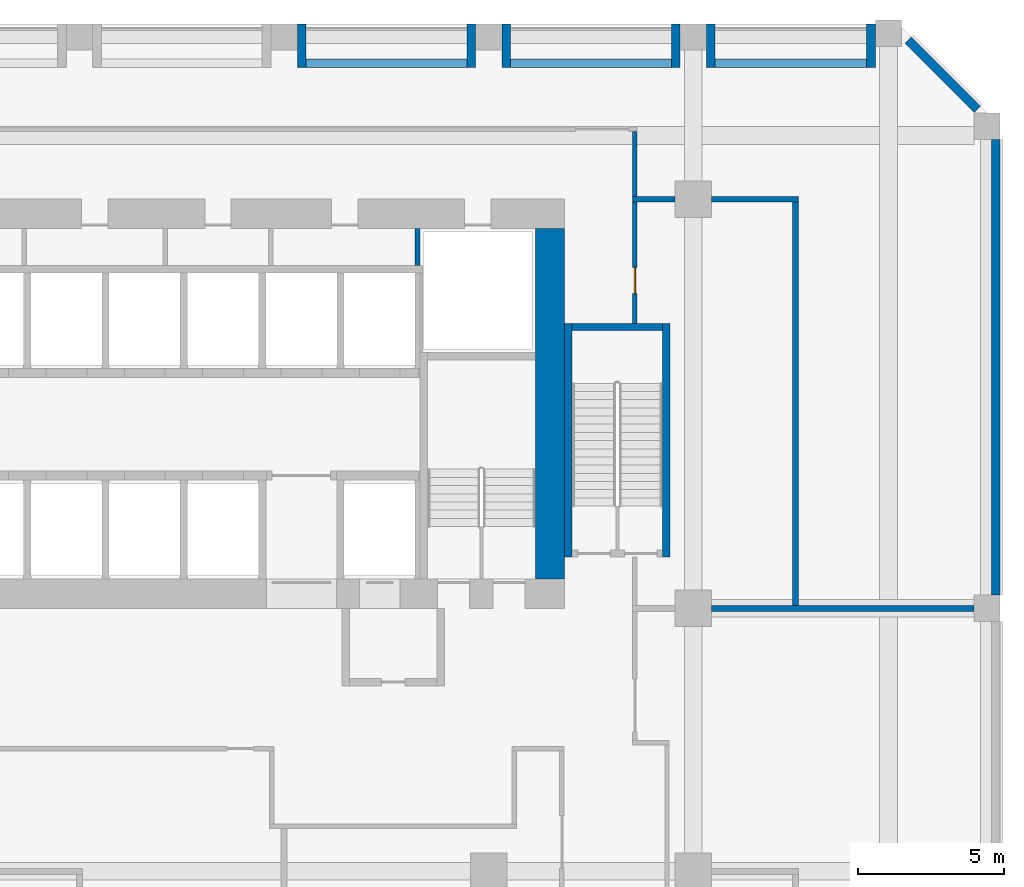
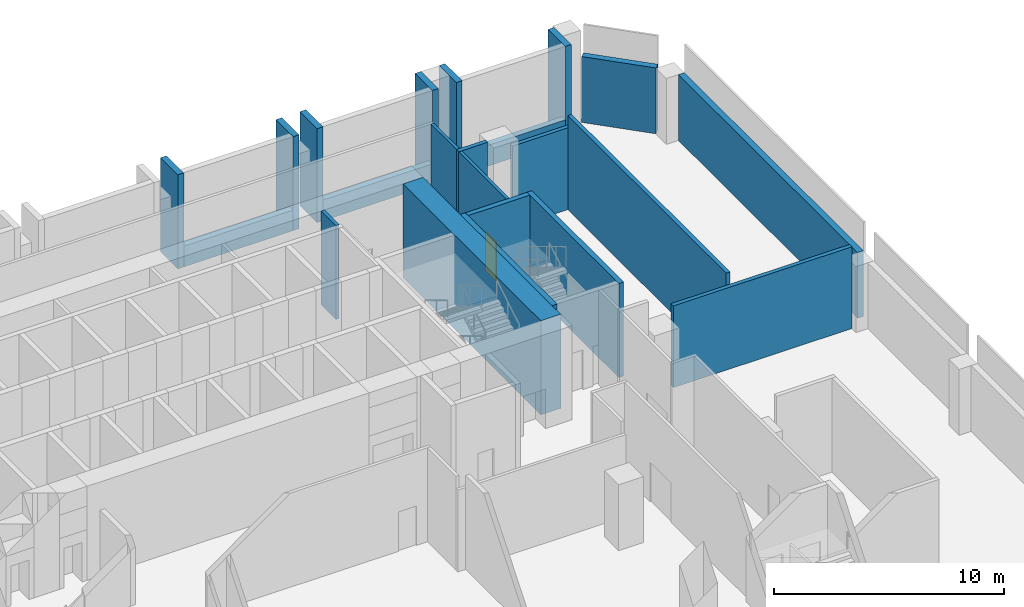
# One storey, part 6 of 10: 22 walls, 1 door, 1 opening.
"""IFC4 building model written with IfcOpenShell, lengths in metres."""

import ifcopenshell
import ifcopenshell.guid

model = None  # the IFC model being written
_history = None  # IfcOwnerHistory: only IFC2X3 demands one
_inside = {}  # id of a spatial element -> (the spatial element, [elements in it])
_under = {}  # id of a project, library or spatial element -> (it, [spatial elements below it])
_declared = {}  # id of a project -> (the project, [libraries it declares])
_typed = {}  # id of a type object -> (the type object, [elements of that type])
_made_of = {}  # id of a material, layer set ... -> (it, [elements and type objects made of it])


def new_model(schema):
    """Start an empty IFC model of exactly this schema.

    Asked for "IFC4X3", IfcOpenShell would pick the latest addendum, in which some entities
    have other attributes; the version numbers below select the first issue.
    IFC2X3 requires an IfcOwnerHistory on every rooted entity: one is made here for all.
    """
    global model, _history
    if schema == "IFC4X3":
        model = ifcopenshell.file(schema_version=(4, 3, 0, 0))
    else:
        model = ifcopenshell.file(schema=schema)
    _inside.clear()
    _under.clear()
    _declared.clear()
    _typed.clear()
    _made_of.clear()
    _history = None
    if model.schema == "IFC2X3":
        org = make("IfcOrganization", Name="unknown")
        user = make(
            "IfcPersonAndOrganization",
            ThePerson=make("IfcPerson", FamilyName="unknown"),
            TheOrganization=org,
        )
        app = make(
            "IfcApplication",
            ApplicationDeveloper=org,
            Version="unknown",
            ApplicationFullName="unknown",
            ApplicationIdentifier="unknown",
        )
        _history = make(
            "IfcOwnerHistory",
            OwningUser=user,
            OwningApplication=app,
            ChangeAction="ADDED",
            CreationDate=0,
        )
    return model


def make(cls, **values):
    """One entity of the class cls with the attributes given. An attribute that is None is left unset."""
    return model.create_entity(
        cls, **{name: value for name, value in values.items() if value is not None}
    )


def rooted(cls, **values):
    """An entity with a GlobalId (a new one), such as an element, a storey or a relation."""
    return make(cls, GlobalId=ifcopenshell.guid.new(), OwnerHistory=_history, **values)


def si_unit(unit_type, name, prefix=None):
    """IfcSIUnit, for example si_unit("LENGTHUNIT", "METRE", prefix="MILLI")."""
    return make("IfcSIUnit", UnitType=unit_type, Prefix=prefix, Name=name)


def assignment(units):
    """IfcUnitAssignment: the units of a project."""
    return None if units is None else make("IfcUnitAssignment", Units=units)


def point(xyz):
    """IfcCartesianPoint."""
    return None if xyz is None else make("IfcCartesianPoint", Coordinates=xyz)


def direction(xyz):
    """IfcDirection."""
    return None if xyz is None else make("IfcDirection", DirectionRatios=xyz)


def frame(location, z_axis=None, x_axis=None):
    """IfcAxis2Placement3D, a coordinate frame: its origin and axes. An axis left out is left unset."""
    return make(
        "IfcAxis2Placement3D",
        Location=point(location),
        Axis=direction(z_axis),
        RefDirection=direction(x_axis),
    )


def frame_2d(location, x_axis=None):
    """IfcAxis2Placement2D, a coordinate frame in the plane: its origin and x axis."""
    return make(
        "IfcAxis2Placement2D", Location=point(location), RefDirection=direction(x_axis)
    )


def origin():
    """The frame at (0, 0, 0) with its axes left unset."""
    return frame((0.0, 0.0, 0.0))


def place(relative_to, where):
    """IfcLocalPlacement: puts the frame where relative to a parent placement (None: the world)."""
    return make(
        "IfcLocalPlacement", PlacementRelTo=relative_to, RelativePlacement=where
    )


def context(
    kind, dimensions, precision=None, world=None, true_north=None, identifier=None
):
    """IfcGeometricRepresentationContext, for example the 3D "Model" context."""
    return make(
        "IfcGeometricRepresentationContext",
        ContextIdentifier=identifier,
        ContextType=kind,
        CoordinateSpaceDimension=dimensions,
        Precision=precision,
        WorldCoordinateSystem=world,
        TrueNorth=true_north,
    )


def subcontext(parent, identifier, kind, view, scale=None):
    """IfcGeometricRepresentationSubContext, for example "Body" below "Model"."""
    return make(
        "IfcGeometricRepresentationSubContext",
        ContextIdentifier=identifier,
        ContextType=kind,
        ParentContext=parent,
        TargetScale=scale,
        TargetView=view,
    )


def project(units=None, contexts=None):
    """IfcProject with its units and contexts."""
    return rooted(
        "IfcProject",
        Name="project",
        RepresentationContexts=contexts,
        UnitsInContext=assignment(units),
    )


def spatial(cls, under=None, at=None, **own):
    """A site, building, storey or space (cls), placed at a placement, below another one or the project."""
    s = rooted(cls, ObjectPlacement=at, **own)
    if under is not None:
        _under.setdefault(under.id(), (under, []))[1].append(s)
    return s


def profile(cls, at=None, kind="AREA", **sizes):
    """A parametric profile (cls). Its sizes go by their IFC names, for example OverallWidth=200.0."""
    return make(cls, ProfileType=kind, Position=at, **sizes)


def rectangle(**sizes):
    """IfcRectangleProfileDef."""
    return profile("IfcRectangleProfileDef", **sizes)


def extrude(swept, where, along, depth):
    """IfcExtrudedAreaSolid: the profile swept, set in the frame where, extruded along a direction by depth."""
    return make(
        "IfcExtrudedAreaSolid",
        SweptArea=swept,
        Position=where,
        ExtrudedDirection=direction(along),
        Depth=depth,
    )


def shape(context_of_items, identifier, shape_type, items):
    """IfcShapeRepresentation: the items that make up one representation, for example the "Body"."""
    return make(
        "IfcShapeRepresentation",
        ContextOfItems=context_of_items,
        RepresentationIdentifier=identifier,
        RepresentationType=shape_type,
        Items=items,
    )


def source(mapping_origin, context_of_items, identifier, shape_type, items):
    """IfcRepresentationMap: a shape defined once, which mapped items show again and again."""
    return make(
        "IfcRepresentationMap",
        MappingOrigin=mapping_origin,
        MappedRepresentation=shape(context_of_items, identifier, shape_type, items),
    )


def transform(
    local_origin,
    x_axis=None,
    y_axis=None,
    z_axis=None,
    scale=None,
    scale2=None,
    scale3=None,
    uniform=True,
):
    """IfcCartesianTransformationOperator3D, or its non-uniform kind. x_axis, y_axis, z_axis: its Axis1, 2, 3."""
    if uniform:
        return make(
            "IfcCartesianTransformationOperator3D",
            Axis1=direction(x_axis),
            Axis2=direction(y_axis),
            LocalOrigin=point(local_origin),
            Scale=scale,
            Axis3=direction(z_axis),
        )
    return make(
        "IfcCartesianTransformationOperator3DnonUniform",
        Axis1=direction(x_axis),
        Axis2=direction(y_axis),
        LocalOrigin=point(local_origin),
        Scale=scale,
        Axis3=direction(z_axis),
        Scale2=scale2,
        Scale3=scale3,
    )


def mapped(mapping_source, mapping_target):
    """IfcMappedItem: shows the shape of a source again, moved by a transform."""
    return make(
        "IfcMappedItem", MappingSource=mapping_source, MappingTarget=mapping_target
    )


def material(Name=None, Category=None):
    """IfcMaterial."""
    return make("IfcMaterial", Name=Name, Category=Category)


def layer(
    of_material, thickness, ventilated=None, Name=None, Category=None, Priority=None
):
    """IfcMaterialLayer: one layer of a wall or slab, of a material (None: an air gap)."""
    return make(
        "IfcMaterialLayer",
        Material=of_material,
        LayerThickness=thickness,
        IsVentilated=ventilated,
        Name=Name,
        Category=Category,
        Priority=Priority,
    )


def layer_set(layers, Name=None):
    """IfcMaterialLayerSet."""
    return make("IfcMaterialLayerSet", MaterialLayers=layers, LayerSetName=Name)


def made_of(thing, what):
    """Note that an element or type object is made of a material, layer set ...; save() writes the relation."""
    if what is not None:
        _made_of.setdefault(what.id(), (what, []))[1].append(thing)
    return thing


def type_object(cls, material=None, **own):
    """A type object (cls), such as IfcWallType, which elements share."""
    return made_of(rooted(cls, **own), material)


def element(
    cls,
    number,
    at=None,
    inside=None,
    cuts=None,
    type_object=None,
    material=None,
    context=None,
    identifier="Body",
    shape_type=None,
    held_by="IfcProductDefinitionShape",
    body=None,
    shapes=None,
    **own,
):
    """One element of the class cls, such as IfcWall. Its Tag is "e" and its number.

    at: its placement. inside: the storey or other place that contains it. cuts: it is an
    opening in that element (IfcRelVoidsElement). A single representation is given by context,
    identifier, shape_type and body (its items); several are given by shapes. held_by: the class
    of the entity that holds the representations. save() writes the other relations.
    """
    e = rooted(cls, Tag="e%d" % number, ObjectPlacement=at, **own)
    if body is not None:
        shapes = [shape(context, identifier, shape_type, body)]
    if shapes is not None:
        e.Representation = make(held_by, Representations=shapes)
    if inside is not None:
        _inside.setdefault(inside.id(), (inside, []))[1].append(e)
    if cuts is not None:
        rooted(
            "IfcRelVoidsElement", RelatingBuildingElement=cuts, RelatedOpeningElement=e
        )
    if type_object is not None:
        _typed.setdefault(type_object.id(), (type_object, []))[1].append(e)
    return made_of(e, material)


def fill(opening, filler):
    """IfcRelFillsElement: the door or window that sits in an opening."""
    return rooted(
        "IfcRelFillsElement",
        RelatingOpeningElement=opening,
        RelatedBuildingElement=filler,
    )


def aggregate(whole, parts):
    """IfcRelAggregates: a whole, such as a stair, and the parts it consists of."""
    return rooted("IfcRelAggregates", RelatingObject=whole, RelatedObjects=parts)


def save(model, path):
    """Write the relations noted so far, then the file.

    IfcRelAggregates (storeys below a building ...), IfcRelContainedInSpatialStructure (elements
    in a storey), IfcRelDefinesByType, IfcRelAssociatesMaterial and IfcRelDeclares: one each for
    every whole, place, type object, material and project.
    """
    for whole, parts in _under.values():
        aggregate(whole, parts)
    for where, things in _inside.values():
        rooted(
            "IfcRelContainedInSpatialStructure",
            RelatedElements=things,
            RelatingStructure=where,
        )
    for kind, things in _typed.values():
        rooted("IfcRelDefinesByType", RelatedObjects=things, RelatingType=kind)
    for what, things in _made_of.values():
        rooted("IfcRelAssociatesMaterial", RelatedObjects=things, RelatingMaterial=what)
    for by, libraries in _declared.values():
        rooted("IfcRelDeclares", RelatingContext=by, RelatedDefinitions=libraries)
    model.write(path)


model = new_model("IFC4")

# Units and contexts
model_context = context("Model", 3, precision=1e-05, world=origin(), true_north=direction((0.0, 1.0)))
body_context = subcontext(model_context, "Body", "Model", "MODEL_VIEW")
ifc_project = project(units=[si_unit("LENGTHUNIT", "METRE"), si_unit("AREAUNIT", "SQUARE_METRE"), si_unit("VOLUMEUNIT", "CUBIC_METRE"), si_unit("PLANEANGLEUNIT", "RADIAN"), si_unit("MASSUNIT", "GRAM", prefix="KILO")], contexts=[model_context])

# Site, building, storey
site_placement = place(None, origin())
site = spatial("IfcSite", under=ifc_project, at=site_placement, CompositionType="ELEMENT")
building_placement = place(site_placement, origin())
building = spatial("IfcBuilding", under=site, at=building_placement, Name="Kilnfold Tower and Market Hall", CompositionType="ELEMENT")
storey_placement = place(building_placement, frame((0.0, 0.0, 95.199951171875)))
storey = spatial("IfcBuildingStorey", under=building, at=storey_placement, Name="L22 Refuge Transfer Level", CompositionType="ELEMENT", Elevation=95.199951171875)

# Wall, opening, door
ifc_material_1 = material(Name="Gypsum board on steel studs", Category="steel")
ifc_layer_1 = layer(ifc_material_1, 0.14990234375)
ifc_layer_set_1 = layer_set([ifc_layer_1], Name="Gypsum board on steel studs")
wall_type_1 = type_object("IfcWallType", Name="WALL CORRIDOR 150", PredefinedType="PARTITIONING", material=ifc_layer_set_1)
wall_1_placement = place(storey_placement, frame((20.5, 17.75, 0.0), z_axis=(0.0, 0.0, 1.0), x_axis=(0.0, 1.0, 0.0)))
wall_1 = element("IfcWall", 1, at=wall_1_placement, inside=storey, type_object=wall_type_1, Name="Partition LY15.22", PredefinedType="PARTITIONING", context=body_context, shape_type="SweptSolid", body=[
    extrude(rectangle(XDim=4.159912109375, YDim=0.14990234375, at=frame_2d((2.080078125, 0.0))), origin(), (0.0, 0.0, 1.0), 5.0),
])
opening_placement = place(wall_1_placement, frame((1.01708984375, 0.0, 0.0)))
opening = element("IfcOpeningElement", 2, at=opening_placement, cuts=wall_1, Name="Opening D2", PredefinedType="OPENING", context=body_context, shape_type="SweptSolid", body=[
    extrude(rectangle(XDim=0.89990234375, YDim=2.10009765625, at=frame_2d((0.449951171875, 1.050048828125))), frame((0.0, 0.0849609375, 0.0), z_axis=(0.0, -1.0, 0.0), x_axis=(1.0, 0.0, 0.0)), (0.0, 0.0, 1.0), 0.169921875),
])
ifc_material_2 = material(Name="Timber veneer door leaf in steel frame", Category="steel")
door_type = type_object("IfcDoorType", Name="DOOR ROOM 900 X2100", OperationType="NOTDEFINED", PredefinedType="DOOR", material=ifc_material_2)
door_placement = place(opening_placement, origin())
door = element("IfcDoor", 3, at=door_placement, inside=storey, type_object=door_type, Name="Door D2", OperationType="SINGLE_SWING_LEFT", OverallHeight=2.10009765625, OverallWidth=0.89990234375, PredefinedType="DOOR", context=body_context, shape_type="SweptSolid", body=[
    extrude(rectangle(XDim=0.89990234375, YDim=2.10009765625, at=frame_2d((0.449951171875, 1.050048828125))), frame((0.0, 0.02490234375, 0.0), z_axis=(0.0, -1.0, 0.0), x_axis=(1.0, 0.0, 0.0)), (0.0, 0.0, 1.0), 0.050048828125),
])
fill(opening, door)

# Walls
wall_2_placement = place(storey_placement, frame((20.5, 22.090087890625, 0.0), z_axis=(0.0, 0.0, 1.0), x_axis=(0.0, 1.0, 0.0)))
element("IfcWall", 4, at=wall_2_placement, inside=storey, type_object=wall_type_1, Name="Partition LY15.26", PredefinedType="PARTITIONING", context=body_context, shape_type="SweptSolid", body=[
    extrude(rectangle(XDim=2.23486328125, YDim=0.14990234375, at=frame_2d((1.117431640625, 0.0))), origin(), (0.0, 0.0, 1.0), 5.0),
])
ifc_material_3 = material(Name="Gypsum board on steel studs", Category="steel")
ifc_layer_2 = layer(ifc_material_3, 0.199951171875)
ifc_layer_set_2 = layer_set([ifc_layer_2], Name="Gypsum board on steel studs")
wall_type_2 = type_object("IfcWallType", Name="WALL PARTY 200", PredefinedType="PARTITIONING", material=ifc_layer_set_2)
wall_3_placement = place(storey_placement, frame((23.125, 8.0, 0.0), z_axis=(0.0, 0.0, 1.0), x_axis=(1.0, 0.0, 0.0)))
element("IfcWall", 5, at=wall_3_placement, inside=storey, type_object=wall_type_2, Name="Partition LY15.47", PredefinedType="PARTITIONING", context=body_context, shape_type="SweptSolid", body=[
    extrude(rectangle(XDim=8.97509765625, YDim=0.199951171875, at=frame_2d((4.487548828125, 0.0))), origin(), (0.0, 0.0, 1.0), 4.35009765625),
])
wall_4_placement = place(storey_placement, frame((20.427001953125, 22.0, 0.0), z_axis=(0.0, 0.0, 1.0), x_axis=(1.0, 0.0, 0.0)))
element("IfcWall", 6, at=wall_4_placement, inside=storey, type_object=wall_type_2, Name="Partition LY15.48", PredefinedType="PARTITIONING", context=body_context, shape_type="SweptSolid", body=[
    extrude(rectangle(XDim=1.447998046875, YDim=0.199951171875, at=frame_2d((0.72412109375, 0.0))), origin(), (0.0, 0.0, 1.0), 5.0),
])
wall_5_placement = place(storey_placement, frame((23.125, 22.0, 0.0), z_axis=(0.0, 0.0, 1.0), x_axis=(1.0, 0.0, 0.0)))
element("IfcWall", 7, at=wall_5_placement, inside=storey, type_object=wall_type_2, Name="Partition LY15.49", PredefinedType="PARTITIONING", context=body_context, shape_type="SweptSolid", body=[
    extrude(rectangle(XDim=2.97509765625, YDim=0.199951171875, at=frame_2d((1.487548828125, 0.0))), origin(), (0.0, 0.0, 1.0), 4.35009765625),
])
wall_6_placement = place(storey_placement, frame((26.0, 8.10009765625, 0.0), z_axis=(0.0, 0.0, 1.0), x_axis=(0.0, 1.0, 0.0)))
element("IfcWall", 8, at=wall_6_placement, inside=storey, type_object=wall_type_2, Name="Partition LY15.50", PredefinedType="PARTITIONING", context=body_context, shape_type="SweptSolid", body=[
    extrude(rectangle(XDim=13.7998046875, YDim=0.199951171875, at=frame_2d((6.89990234375, 0.0))), origin(), (0.0, 0.0, 1.0), 5.0),
])
ifc_material_4 = material(Name="Concrete C80", Category="concrete")
ifc_layer_3 = layer(ifc_material_4, 1.0)
ifc_layer_set_3 = layer_set([ifc_layer_3], Name="Concrete C80")
wall_type_3 = type_object("IfcWallType", Name="CORE WALL 1000 C80", PredefinedType="SHEAR", material=ifc_layer_set_3)
shared_shape_1 = source(origin(), body_context, "Body", "SweptSolid", [
    extrude(rectangle(XDim=12.0, YDim=1.0, at=frame_2d((6.0, 0.0))), origin(), (0.0, 0.0, 1.0), 5.0),
])
wall_7_placement = place(storey_placement, frame((17.60009765625, 9.0, 0.0), z_axis=(0.0, 0.0, 1.0), x_axis=(0.0, 1.0, 0.0)))
element("IfcWall", 9, at=wall_7_placement, inside=storey, type_object=wall_type_3, Name="Core outer wall east", PredefinedType="SHEAR", context=body_context, shape_type="MappedRepresentation", body=[
    mapped(shared_shape_1, transform((0.0, 0.0, 0.0))),
])
ifc_material_5 = material(Name="Concrete C80", Category="concrete")
ifc_layer_4 = layer(ifc_material_5, 0.25)
ifc_layer_set_4 = layer_set([ifc_layer_4], Name="Concrete C80")
wall_type_4 = type_object("IfcWallType", Name="CORE WALL 250 C80", PredefinedType="SHEAR", material=ifc_layer_set_4)
shared_shape_2 = source(origin(), body_context, "Body", "SweptSolid", [
    extrude(rectangle(XDim=8.0, YDim=0.25, at=frame_2d((4.0, 0.0))), origin(), (0.0, 0.0, 1.0), 5.0),
])
for number, where, z_axis, x_axis, name in (
    (10, (18.22509765625, 9.75, 0.0), (0.0, 0.0, 1.0), (0.0, 1.0, 0.0), "Stair enclosure ST5"),
    (11, (21.574951171875, 9.75, 0.0), (0.0, 0.0, 1.0), (0.0, 1.0, 0.0), "Stair enclosure ST5"),
):
    element("IfcWall", number, at=place(storey_placement, frame(where, z_axis=z_axis, x_axis=x_axis)), inside=storey, type_object=wall_type_4, Name=name, PredefinedType="SHEAR", context=body_context, shape_type="MappedRepresentation", body=[
        mapped(shared_shape_2, transform((0.0, 0.0, 0.0))),
    ])
shared_shape_3 = source(origin(), body_context, "Body", "SweptSolid", [
    extrude(rectangle(XDim=3.099853515625, YDim=0.25, at=frame_2d((1.5498046875, 0.0))), origin(), (0.0, 0.0, 1.0), 5.0),
])
wall_8_placement = place(storey_placement, frame((18.35009765625, 17.625, 0.0), z_axis=(0.0, 0.0, 1.0), x_axis=(1.0, 0.0, 0.0)))
element("IfcWall", 12, at=wall_8_placement, inside=storey, type_object=wall_type_4, Name="Stair enclosure ST5", PredefinedType="SHEAR", context=body_context, shape_type="MappedRepresentation", body=[
    mapped(shared_shape_3, transform((0.0, 0.0, 0.0))),
])
ifc_material_6 = material(Name="Precast concrete C50/60", Category="concrete")
ifc_layer_5 = layer(ifc_material_6, 0.300048828125)
ifc_layer_set_5 = layer_set([ifc_layer_5], Name="Precast concrete C50/60")
wall_type_5 = type_object("IfcWallType", Name="PRECAST WALL 300", PredefinedType="SOLIDWALL", material=ifc_layer_set_5)
shared_shape_4 = source(origin(), body_context, "Body", "SweptSolid", [
    extrude(rectangle(XDim=5.5, YDim=0.300048828125, at=frame_2d((2.75, 0.0))), origin(), (0.0, 0.0, 1.0), 1.10009765625),
])
for number, where, z_axis, x_axis, name in (
    (13, (21.75, 26.64990234375, 0.0), (0.0, 0.0, 1.0), (-1.0, 0.0, 0.0), "Knee wall L22 N"),
    (14, (14.75, 26.64990234375, 0.0), (0.0, 0.0, 1.0), (-1.0, 0.0, 0.0), "Knee wall L22 N"),
):
    element("IfcWall", number, at=place(storey_placement, frame(where, z_axis=z_axis, x_axis=x_axis)), inside=storey, type_object=wall_type_5, Name=name, PredefinedType="SOLIDWALL", context=body_context, shape_type="MappedRepresentation", body=[
        mapped(shared_shape_4, transform((0.0, 0.0, 0.0))),
    ])
shared_shape_5 = source(origin(), body_context, "Body", "SweptSolid", [
    extrude(rectangle(XDim=5.181884765625, YDim=0.300048828125, at=frame_2d((2.5908203125, 0.0))), origin(), (0.0, 0.0, 1.0), 1.10009765625),
])
wall_9_placement = place(storey_placement, frame((28.431884765625, 26.64990234375, 0.0), z_axis=(0.0, 0.0, 1.0), x_axis=(-1.0, 0.0, 0.0)))
element("IfcWall", 15, at=wall_9_placement, inside=storey, type_object=wall_type_5, Name="Knee wall L22 N", PredefinedType="SOLIDWALL", context=body_context, shape_type="MappedRepresentation", body=[
    mapped(shared_shape_5, transform((0.0, 0.0, 0.0))),
])
shared_shape_6 = source(origin(), body_context, "Body", "SweptSolid", [
    extrude(rectangle(XDim=1.5, YDim=0.300048828125, at=frame_2d((0.75, 0.0))), origin(), (0.0, 0.0, 1.0), 5.0),
])
for number, where, z_axis, x_axis, name in (
    (16, (28.581787109375, 28.0, 0.0), (0.0, 0.0, 1.0), (0.0, -1.0, 0.0), "Plant wall L22 N"),
    (17, (23.10009765625, 28.0, 0.0), (0.0, 0.0, 1.0), (0.0, -1.0, 0.0), "Plant wall L22 N"),
    (18, (21.89990234375, 28.0, 0.0), (0.0, 0.0, 1.0), (0.0, -1.0, 0.0), "Plant wall L22 N"),
    (19, (16.10009765625, 28.0, 0.0), (0.0, 0.0, 1.0), (0.0, -1.0, 0.0), "Plant wall L22 N"),
    (20, (14.89990234375, 28.0, 0.0), (0.0, 0.0, 1.0), (0.0, -1.0, 0.0), "Plant wall L22 N"),
    (21, (9.10009765625, 28.0, 0.0), (0.0, 0.0, 1.0), (0.0, -1.0, 0.0), "Plant wall L22 N"),
):
    element("IfcWall", number, at=place(storey_placement, frame(where, z_axis=z_axis, x_axis=x_axis)), inside=storey, type_object=wall_type_5, Name=name, PredefinedType="SOLIDWALL", context=body_context, shape_type="MappedRepresentation", body=[
        mapped(shared_shape_6, transform((0.0, 0.0, 0.0))),
    ])
shared_shape_7 = source(origin(), body_context, "Body", "SweptSolid", [
    extrude(rectangle(XDim=15.60009765625, YDim=0.300048828125, at=frame_2d((7.800048828125, 0.0))), origin(), (0.0, 0.0, 1.0), 3.5),
])
wall_10_placement = place(storey_placement, frame((32.85009765625, 8.449951171875, 0.0), z_axis=(0.0, 0.0, 1.0), x_axis=(0.0, 1.0, 0.0)))
element("IfcWall", 22, at=wall_10_placement, inside=storey, type_object=wall_type_5, Name="Plant wall L22 E", PredefinedType="SOLIDWALL", context=body_context, shape_type="MappedRepresentation", body=[
    mapped(shared_shape_7, transform((0.0, 0.0, 0.0))),
])
shared_shape_8 = source(origin(), body_context, "Body", "SweptSolid", [
    extrude(rectangle(XDim=3.35888671875, YDim=0.300048828125, at=frame_2d((1.679443359375, 0.0))), origin(), (0.0, 0.0, 1.0), 3.5),
])
wall_11_placement = place(storey_placement, frame((32.218994140625, 25.06884765625, 0.0), z_axis=(0.0, 0.0, 1.0), x_axis=(-0.707070438228, 0.707143122278, 0.0)))
element("IfcWall", 23, at=wall_11_placement, inside=storey, type_object=wall_type_5, Name="Plant wall L22 NE", PredefinedType="SOLIDWALL", context=body_context, shape_type="MappedRepresentation", body=[
    mapped(shared_shape_8, transform((0.0, 0.0, 0.0))),
])
ifc_material_7 = material(Name="Gypsum shaft wall system")
ifc_layer_6 = layer(ifc_material_7, 0.1650390625)
ifc_layer_set_6 = layer_set([ifc_layer_6], Name="Gypsum shaft wall system")
wall_type_6 = type_object("IfcWallType", Name="SHAFT WALL 165", PredefinedType="PARTITIONING", material=ifc_layer_set_6)
shared_shape_9 = source(origin(), body_context, "Body", "SweptSolid", [
    extrude(rectangle(XDim=1.27490234375, YDim=0.1650390625, at=frame_2d((0.637451171875, 0.0))), origin(), (0.0, 0.0, 1.0), 5.0),
])
wall_12_placement = place(storey_placement, frame((13.0673828125, 19.72509765625, 0.0), z_axis=(0.0, 0.0, 1.0), x_axis=(0.0, 1.0, 0.0)))
element("IfcWall", 24, at=wall_12_placement, inside=storey, type_object=wall_type_6, Name="Lift shaft wall", PredefinedType="PARTITIONING", context=body_context, shape_type="MappedRepresentation", body=[
    mapped(shared_shape_9, transform((0.0, 0.0, 0.0))),
])

save(model, "model.ifc")
